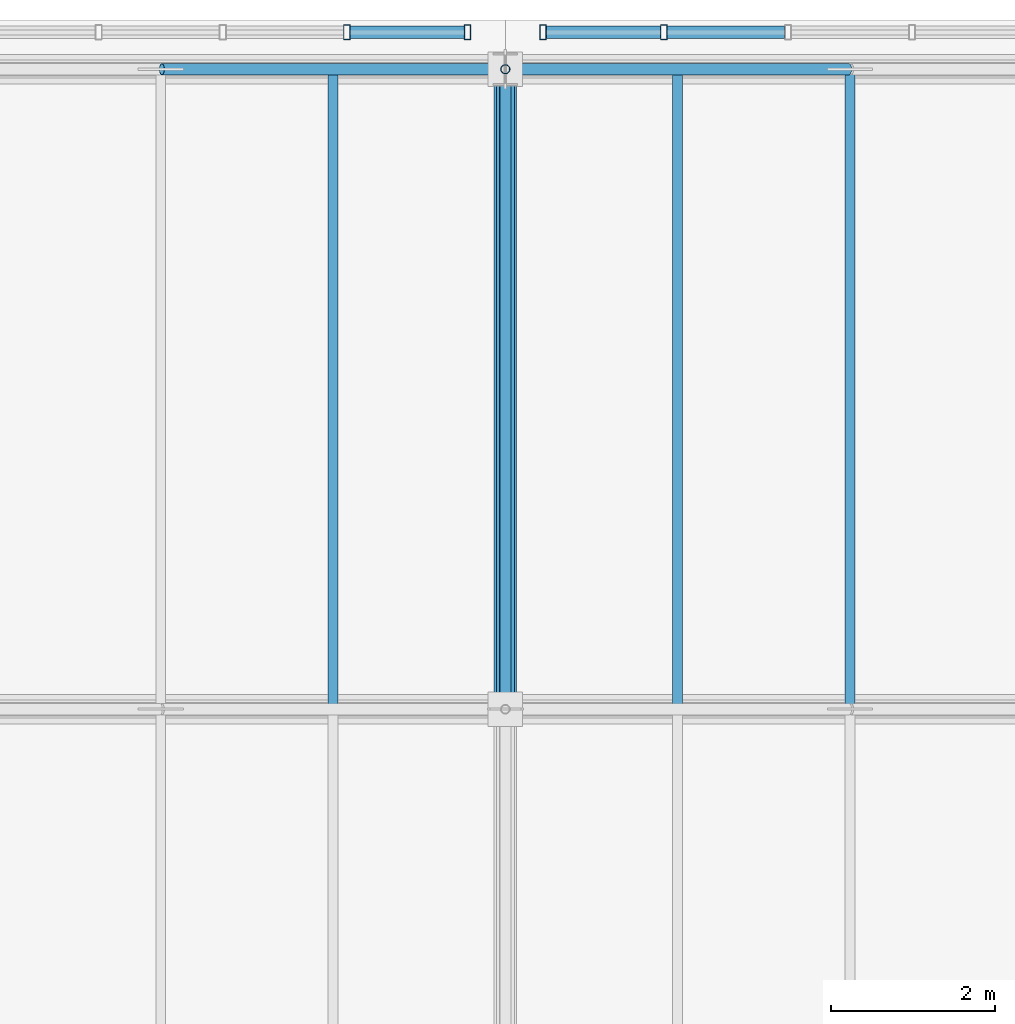
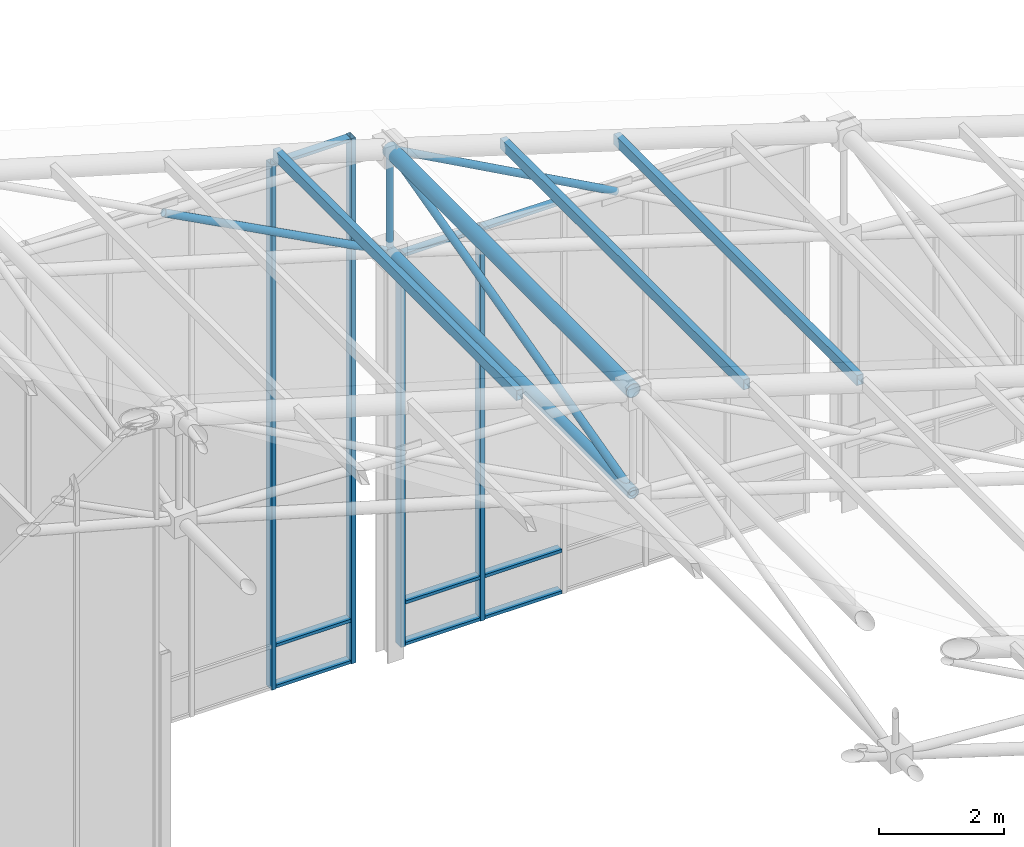
# One storey, part 81 of 144: 22 members, 2 elements without a shape of their own.
"""IFC4 building model written with IfcOpenShell, lengths in metres."""

from ifc_helpers import new_model, si_unit, direction, frame, origin, origin_2d, place, context, subcontext, project, spatial, hollow_rectangle, hollow_circle, extrude, material, layer, layer_set, material_profile, profile_set, type_object, element, aggregate, save


model = new_model("IFC4")

# Units and contexts
model_context = context("Model", 3, precision=1e-05, world=origin(), true_north=direction((0.0, 1.0)))
body_context = subcontext(model_context, "Body", "Model", "MODEL_VIEW")
ifc_project = project(units=[si_unit("LENGTHUNIT", "METRE"), si_unit("AREAUNIT", "SQUARE_METRE"), si_unit("VOLUMEUNIT", "CUBIC_METRE"), si_unit("PLANEANGLEUNIT", "RADIAN"), si_unit("MASSUNIT", "GRAM", prefix="KILO")], contexts=[model_context])

# Site, building, storey
site_placement = place(None, origin())
site = spatial("IfcSite", under=ifc_project, at=site_placement, CompositionType="ELEMENT")
building_placement = place(site_placement, origin())
building = spatial("IfcBuilding", under=site, at=building_placement, Name="Zayran Congress Hotel", CompositionType="ELEMENT")
storey_placement = place(building_placement, frame((0.0, 0.0, 19.199951171875)))
storey = spatial("IfcBuildingStorey", under=building, at=storey_placement, Name="L04", CompositionType="ELEMENT", Elevation=19.199951171875)

# Members
ifc_material_1 = material(Name="Steel S355", Category="steel")
ifc_material_profile_1 = material_profile(ifc_material_1, hollow_circle(Radius=0.136474609375, WallThickness=0.012451171875, at=origin_2d()), Name="CHS 273x12.5")
ifc_profile_set_1 = profile_set([ifc_material_profile_1], Name="Steel S355")
member_type_1 = type_object("IfcMemberType", Name="TP-SF-TC2", PredefinedType="CHORD", material=ifc_profile_set_1)
member_1_placement = place(storey_placement, frame((67.199951171875, 109.60009765625, 9.902099609375), z_axis=(0.0, 1.0, 0.0), x_axis=(-1.0, 0.0, 0.0)))
element("IfcMember", 1, at=member_1_placement, inside=storey, type_object=member_type_1, Name="Space Frame Top Chord Y 428", PredefinedType="CHORD", context=body_context, shape_type="SweptSolid", body=[
    extrude(hollow_circle(Radius=0.136474609375, WallThickness=0.012451171875, at=origin_2d()), origin(), (0.0, 0.0, 1.0), 7.7998046875),
])
ifc_material_profile_2 = material_profile(ifc_material_1, hollow_circle(Radius=0.109619140625, WallThickness=0.010009765625, at=origin_2d()), Name="CHS 219.1x10")
ifc_profile_set_2 = profile_set([ifc_material_profile_2], Name="Steel S355")
member_type_2 = type_object("IfcMemberType", Name="TP-SF-BC1", PredefinedType="CHORD", material=ifc_profile_set_2)
member_2_placement = place(storey_placement, frame((67.199951171875, 109.60009765625, 7.900146484375), z_axis=(0.0, 1.0, 0.0), x_axis=(-1.0, 0.0, 0.0)))
element("IfcMember", 2, at=member_2_placement, inside=storey, type_object=member_type_2, Name="Space Frame Bottom Chord Y 429", PredefinedType="CHORD", context=body_context, shape_type="SweptSolid", body=[
    extrude(hollow_circle(Radius=0.109619140625, WallThickness=0.010009765625, at=origin_2d()), origin(), (0.0, 0.0, 1.0), 7.7998046875),
])
ifc_material_profile_3 = material_profile(ifc_material_1, hollow_circle(Radius=0.06982421875, WallThickness=0.00634765625, at=origin_2d()), Name="CHS 139.7x6.3")
ifc_profile_set_3 = profile_set([ifc_material_profile_3], Name="Steel S355")
member_type_3 = type_object("IfcMemberType", Name="TP-SF-DG2", PredefinedType="BRACE", material=ifc_profile_set_3)
member_3_placement = place(storey_placement, frame((63.01318359375, 117.39990234375, 10.119140625), z_axis=(0.883572260403, 0.0, -0.468294843711), x_axis=(0.0, 1.0, 0.0)))
element("IfcMember", 3, at=member_3_placement, inside=storey, type_object=member_type_3, Name="Space Frame Counter Diagonal X Lower 61", PredefinedType="BRACE", context=body_context, shape_type="SweptSolid", body=[
    extrude(hollow_circle(Radius=0.06982421875, WallThickness=0.00634765625, at=origin_2d()), origin(), (0.0, 0.0, 1.0), 4.738525390625),
])
member_4_placement = place(storey_placement, frame((67.199951171875, 109.60009765625, 7.900146484375), z_axis=(0.0, 0.968603987179, 0.248608760951), x_axis=(-1.0, 0.0, 0.0)))
element("IfcMember", 4, at=member_4_placement, inside=storey, type_object=member_type_3, Name="Space Frame Web Diagonal Y 430", PredefinedType="BRACE", context=body_context, shape_type="SweptSolid", body=[
    extrude(hollow_circle(Radius=0.06982421875, WallThickness=0.00634765625, at=origin_2d()), origin(), (0.0, 0.0, 1.0), 8.052734375),
])
member_5_placement = place(storey_placement, frame((67.199951171875, 117.39990234375, 9.902099609375), z_axis=(0.87699109083, 0.0, -0.480506635339), x_axis=(0.0, 1.0, 0.0)))
element("IfcMember", 5, at=member_5_placement, inside=storey, type_object=member_type_3, Name="Space Frame Counter Diagonal X Upper 435", PredefinedType="BRACE", context=body_context, shape_type="SweptSolid", body=[
    extrude(hollow_circle(Radius=0.06982421875, WallThickness=0.00634765625, at=origin_2d()), origin(), (0.0, 0.0, 1.0), 4.77392578125),
])
ifc_material_profile_4 = material_profile(ifc_material_1, hollow_circle(Radius=0.05712890625, WallThickness=0.00634765625, at=origin_2d()), Name="CHS 114.3x6.3")
ifc_profile_set_4 = profile_set([ifc_material_profile_4], Name="Steel S355")
member_type_4 = type_object("IfcMemberType", Name="TP-SF-DG3", PredefinedType="BRACE", material=ifc_profile_set_4)
member_6_placement = place(storey_placement, frame((67.199951171875, 117.39990234375, 7.900146484375), z_axis=(0.0, 0.0, 1.0), x_axis=(0.0, 1.0, 0.0)))
element("IfcMember", 6, at=member_6_placement, inside=storey, type_object=member_type_4, Name="Space Frame Web Strut 436", PredefinedType="BRACE", context=body_context, shape_type="SweptSolid", body=[
    extrude(hollow_circle(Radius=0.05712890625, WallThickness=0.00634765625, at=origin_2d()), origin(), (0.0, 0.0, 1.0), 2.001953125),
])
ifc_material_profile_5 = material_profile(ifc_material_1, hollow_rectangle(XDim=0.1201171875, YDim=0.199951171875, WallThickness=0.008056640625, at=origin_2d()), Name="RHS 200x120x8")
ifc_profile_set_5 = profile_set([ifc_material_profile_5], Name="Steel S355")
member_type_5 = type_object("IfcMemberType", Name="TP-PR-01", PredefinedType="PURLIN", material=ifc_profile_set_5)
for number, where, z_axis, x_axis, name in (
    (7, (65.10009765625, 109.60009765625, 10.556640625), (0.0, 1.0, 0.0), (-1.0, 0.0, 0.0), "MEM-PR-V1-0126"),
    (8, (69.300048828125, 109.60009765625, 9.2939453125), (0.0, 1.0, 0.0), (-1.0, 0.0, 0.0), "MEM-PR-V1-0132"),
    (9, (71.39990234375, 109.60009765625, 8.64404296875), (0.0, 1.0, 0.0), (-1.0, 0.0, 0.0), "MEM-PR-V1-0138"),
):
    element("IfcMember", number, at=place(storey_placement, frame(where, z_axis=z_axis, x_axis=x_axis)), inside=storey, type_object=member_type_5, Name=name, PredefinedType="PURLIN", context=body_context, shape_type="SweptSolid", body=[
        extrude(hollow_rectangle(XDim=0.1201171875, YDim=0.199951171875, WallThickness=0.008056640625, at=origin_2d()), origin(), (0.0, 0.0, 1.0), 7.7998046875),
    ])

# Curtain wall, members
ifc_material_2 = material(Name="Anodised aluminium and low-E insulated glass", Category="aluminium")
ifc_layer_1 = layer(ifc_material_2, 0.179931640625)
ifc_layer_set_1 = layer_set([ifc_layer_1], Name="Anodised aluminium and low-E insulated glass")
curtain_wall_type_1 = type_object("IfcCurtainWallType", Name="CW-V1CL-L04-CW-21-7560-10270", PredefinedType="USERDEFINED", material=ifc_layer_set_1)
curtain_wall_1_placement = place(storey_placement, origin())
curtain_wall_1 = element("IfcCurtainWall", 10, at=curtain_wall_1_placement, inside=storey, type_object=curtain_wall_type_1, Name="CW-V1CLN-6", ObjectType="CURTAIN WALL", PredefinedType="USERDEFINED")
ifc_material_3 = material(Name="Anodised aluminium framing", Category="aluminium")
ifc_material_profile_6 = material_profile(ifc_material_3, hollow_rectangle(XDim=0.080078125, YDim=0.179931640625, WallThickness=0.0048828125, at=origin_2d()), Name="RHS 180x80x5")
ifc_profile_set_6 = profile_set([ifc_material_profile_6], Name="Anodised aluminium framing")
member_type_6 = type_object("IfcMemberType", Name="TP-CWM-01", PredefinedType="MULLION", material=ifc_profile_set_6)
member_7_placement = place(storey_placement, frame((66.739990234375, 117.85009765625, -0.219970703125), z_axis=(0.0, 0.0, 1.0), x_axis=(1.0, 0.0, 0.0)))
member_7 = element("IfcMember", 11, at=member_7_placement, type_object=member_type_6, Name="CW-V1CLN-6-M00", PredefinedType="MULLION", context=body_context, shape_type="SweptSolid", body=[
    extrude(hollow_rectangle(XDim=0.080078125, YDim=0.179931640625, WallThickness=0.0048828125, at=origin_2d()), origin(), (0.0, 0.0, 1.0), 10.27001953125),
])
member_8_placement = place(storey_placement, frame((65.26806640625, 117.85009765625, -0.219970703125), z_axis=(0.0, 0.0, 1.0), x_axis=(1.0, 0.0, 0.0)))
member_8 = element("IfcMember", 12, at=member_8_placement, type_object=member_type_6, Name="CW-V1CLN-6-M01", PredefinedType="MULLION", context=body_context, shape_type="SweptSolid", body=[
    extrude(hollow_rectangle(XDim=0.080078125, YDim=0.179931640625, WallThickness=0.0048828125, at=origin_2d()), origin(), (0.0, 0.0, 1.0), 10.27001953125),
])

ifc_layer_2 = layer(ifc_material_2, 0.179931640625)
ifc_layer_set_2 = layer_set([ifc_layer_2], Name="Anodised aluminium and low-E insulated glass")
curtain_wall_type_2 = type_object("IfcCurtainWallType", Name="CW-V1CL-L04-CW-22-7560-7670", PredefinedType="USERDEFINED", material=ifc_layer_set_2)
curtain_wall_2_placement = place(storey_placement, origin())
curtain_wall_2 = element("IfcCurtainWall", 13, at=curtain_wall_2_placement, inside=storey, type_object=curtain_wall_type_2, Name="CW-V1CLN-7", ObjectType="CURTAIN WALL", PredefinedType="USERDEFINED")
member_9_placement = place(storey_placement, frame((69.132080078125, 117.85009765625, -0.219970703125), z_axis=(0.0, 0.0, 1.0), x_axis=(1.0, 0.0, 0.0)))
member_9 = element("IfcMember", 14, at=member_9_placement, type_object=member_type_6, Name="CW-V1CLN-7-M04", PredefinedType="MULLION", context=body_context, shape_type="SweptSolid", body=[
    extrude(hollow_rectangle(XDim=0.080078125, YDim=0.179931640625, WallThickness=0.0048828125, at=origin_2d()), origin(), (0.0, 0.0, 1.0), 7.669921875),
])
member_10_placement = place(storey_placement, frame((67.659912109375, 117.85009765625, -0.219970703125), z_axis=(0.0, 0.0, 1.0), x_axis=(1.0, 0.0, 0.0)))
member_10 = element("IfcMember", 15, at=member_10_placement, type_object=member_type_6, Name="CW-V1CLN-7-M05", PredefinedType="MULLION", context=body_context, shape_type="SweptSolid", body=[
    extrude(hollow_rectangle(XDim=0.080078125, YDim=0.179931640625, WallThickness=0.0048828125, at=origin_2d()), origin(), (0.0, 0.0, 1.0), 7.669921875),
])

# Member
ifc_material_profile_7 = material_profile(ifc_material_3, hollow_rectangle(XDim=0.06005859375, YDim=0.14990234375, WallThickness=0.00390625, at=origin_2d()), Name="RHS 150x60x4")
ifc_profile_set_7 = profile_set([ifc_material_profile_7], Name="Anodised aluminium framing")
member_type_7 = type_object("IfcMemberType", Name="TP-CWT-01", PredefinedType="USERDEFINED", material=ifc_profile_set_7)
member_11_placement = place(storey_placement, frame((66.699951171875, 117.85009765625, -0.18994140625), z_axis=(-1.0, 0.0, 0.0), x_axis=(0.0, 0.0, 1.0)))
member_11 = element("IfcMember", 16, at=member_11_placement, type_object=member_type_7, Name="CW-V1CLN-6-T00-0", ObjectType="TRANSOM", PredefinedType="USERDEFINED", context=body_context, shape_type="SweptSolid", body=[
    extrude(hollow_rectangle(XDim=0.06005859375, YDim=0.14990234375, WallThickness=0.00390625, at=origin_2d()), origin(), (0.0, 0.0, 1.0), 1.391845703125),
])

member_12_placement = place(storey_placement, frame((66.699951171875, 117.85009765625, 0.6201171875), z_axis=(-1.0, 0.0, 0.0), x_axis=(0.0, 0.0, 1.0)))
member_12 = element("IfcMember", 17, at=member_12_placement, type_object=member_type_7, Name="CW-V1CLN-6-T00-1", ObjectType="TRANSOM", PredefinedType="USERDEFINED", context=body_context, shape_type="SweptSolid", body=[
    extrude(hollow_rectangle(XDim=0.06005859375, YDim=0.14990234375, WallThickness=0.00390625, at=origin_2d()), origin(), (0.0, 0.0, 1.0), 1.391845703125),
])

member_13_placement = place(storey_placement, frame((66.699951171875, 117.85009765625, 10.02001953125), z_axis=(-1.0, 0.0, 0.0), x_axis=(0.0, 0.0, 1.0)))
member_13 = element("IfcMember", 18, at=member_13_placement, type_object=member_type_7, Name="CW-V1CLN-6-T00-2", ObjectType="TRANSOM", PredefinedType="USERDEFINED", context=body_context, shape_type="SweptSolid", body=[
    extrude(hollow_rectangle(XDim=0.06005859375, YDim=0.14990234375, WallThickness=0.00390625, at=origin_2d()), origin(), (0.0, 0.0, 1.0), 1.391845703125),
])

aggregate(curtain_wall_1, [member_7, member_8, member_11, member_12, member_13])

member_14_placement = place(storey_placement, frame((70.60400390625, 117.85009765625, -0.18994140625), z_axis=(-1.0, 0.0, 0.0), x_axis=(0.0, 0.0, 1.0)))
member_14 = element("IfcMember", 19, at=member_14_placement, type_object=member_type_7, Name="CW-V1CLN-7-T03-0", ObjectType="TRANSOM", PredefinedType="USERDEFINED", context=body_context, shape_type="SweptSolid", body=[
    extrude(hollow_rectangle(XDim=0.06005859375, YDim=0.14990234375, WallThickness=0.00390625, at=origin_2d()), origin(), (0.0, 0.0, 1.0), 1.431884765625),
])

member_15_placement = place(storey_placement, frame((70.60400390625, 117.85009765625, 0.6201171875), z_axis=(-1.0, 0.0, 0.0), x_axis=(0.0, 0.0, 1.0)))
member_15 = element("IfcMember", 20, at=member_15_placement, type_object=member_type_7, Name="CW-V1CLN-7-T03-1", ObjectType="TRANSOM", PredefinedType="USERDEFINED", context=body_context, shape_type="SweptSolid", body=[
    extrude(hollow_rectangle(XDim=0.06005859375, YDim=0.14990234375, WallThickness=0.00390625, at=origin_2d()), origin(), (0.0, 0.0, 1.0), 1.431884765625),
])

member_16_placement = place(storey_placement, frame((70.60400390625, 117.85009765625, 7.420166015625), z_axis=(-1.0, 0.0, 0.0), x_axis=(0.0, 0.0, 1.0)))
member_16 = element("IfcMember", 21, at=member_16_placement, type_object=member_type_7, Name="CW-V1CLN-7-T03-2", ObjectType="TRANSOM", PredefinedType="USERDEFINED", context=body_context, shape_type="SweptSolid", body=[
    extrude(hollow_rectangle(XDim=0.06005859375, YDim=0.14990234375, WallThickness=0.00390625, at=origin_2d()), origin(), (0.0, 0.0, 1.0), 1.431884765625),
])

member_17_placement = place(storey_placement, frame((69.092041015625, 117.85009765625, -0.18994140625), z_axis=(-1.0, 0.0, 0.0), x_axis=(0.0, 0.0, 1.0)))
member_17 = element("IfcMember", 22, at=member_17_placement, type_object=member_type_7, Name="CW-V1CLN-7-T04-0", ObjectType="TRANSOM", PredefinedType="USERDEFINED", context=body_context, shape_type="SweptSolid", body=[
    extrude(hollow_rectangle(XDim=0.06005859375, YDim=0.14990234375, WallThickness=0.00390625, at=origin_2d()), origin(), (0.0, 0.0, 1.0), 1.39208984375),
])

member_18_placement = place(storey_placement, frame((69.092041015625, 117.85009765625, 0.6201171875), z_axis=(-1.0, 0.0, 0.0), x_axis=(0.0, 0.0, 1.0)))
member_18 = element("IfcMember", 23, at=member_18_placement, type_object=member_type_7, Name="CW-V1CLN-7-T04-1", ObjectType="TRANSOM", PredefinedType="USERDEFINED", context=body_context, shape_type="SweptSolid", body=[
    extrude(hollow_rectangle(XDim=0.06005859375, YDim=0.14990234375, WallThickness=0.00390625, at=origin_2d()), origin(), (0.0, 0.0, 1.0), 1.39208984375),
])

member_19_placement = place(storey_placement, frame((69.092041015625, 117.85009765625, 7.420166015625), z_axis=(-1.0, 0.0, 0.0), x_axis=(0.0, 0.0, 1.0)))
member_19 = element("IfcMember", 24, at=member_19_placement, type_object=member_type_7, Name="CW-V1CLN-7-T04-2", ObjectType="TRANSOM", PredefinedType="USERDEFINED", context=body_context, shape_type="SweptSolid", body=[
    extrude(hollow_rectangle(XDim=0.06005859375, YDim=0.14990234375, WallThickness=0.00390625, at=origin_2d()), origin(), (0.0, 0.0, 1.0), 1.39208984375),
])

aggregate(curtain_wall_2, [member_9, member_10, member_14, member_15, member_16, member_17, member_18, member_19])

save(model, "model.ifc")
